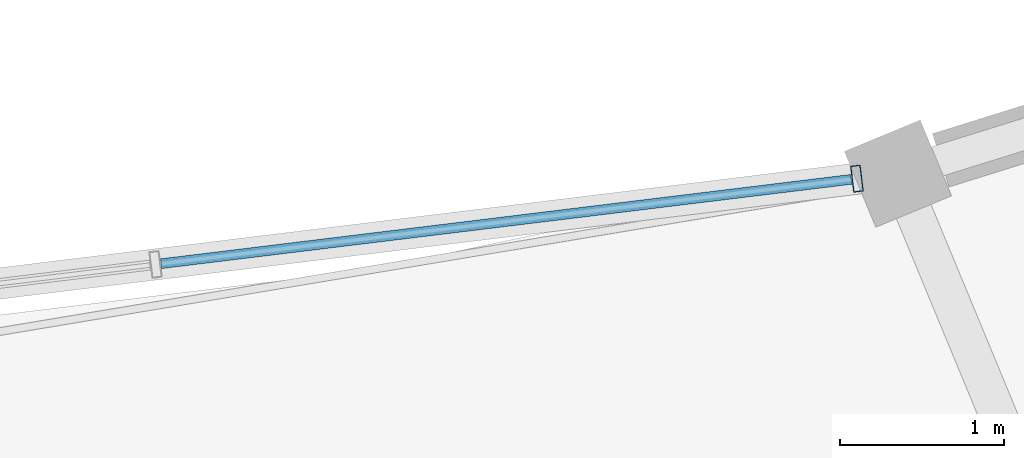
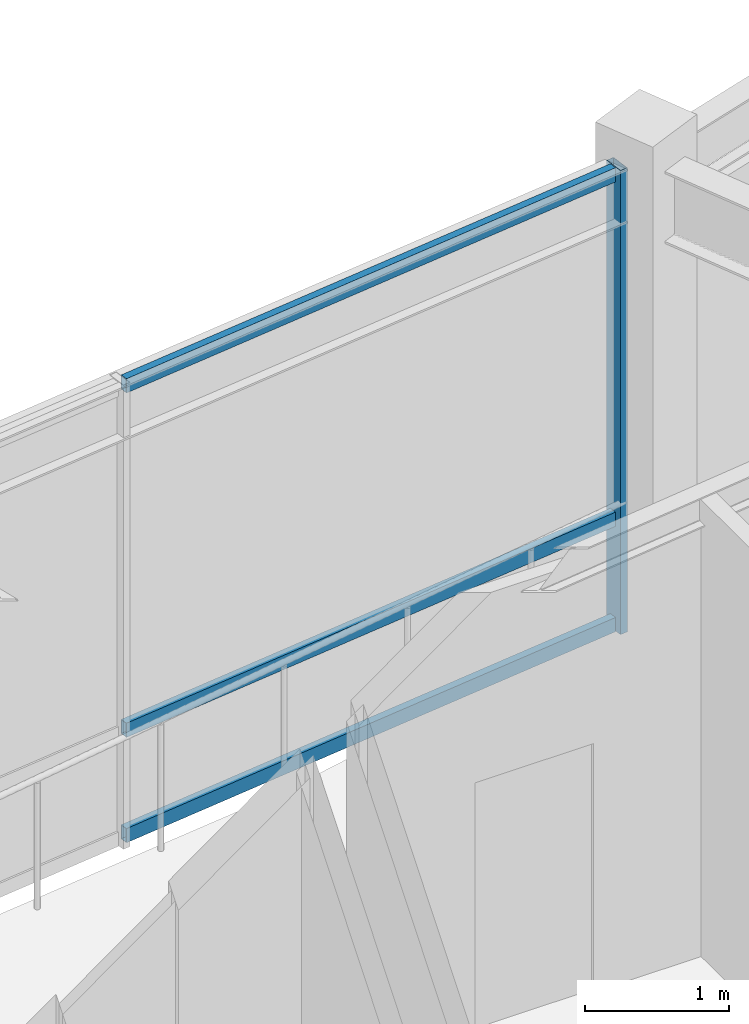
# One storey, part 45 of 78: 4 members, 1 element without a shape of its own.
"""IFC4 building model written with IfcOpenShell, lengths in metres."""

from ifc_helpers import new_model, si_unit, direction, frame, origin, origin_2d, place, context, subcontext, project, spatial, hollow_rectangle, extrude, material, material_profile, profile_set, type_object, element, aggregate, save


model = new_model("IFC4")

# Units and contexts
model_context = context("Model", 3, precision=1e-05, world=origin(), true_north=direction((0.0, 1.0)))
body_context = subcontext(model_context, "Body", "Model", "MODEL_VIEW")
ifc_project = project(units=[si_unit("LENGTHUNIT", "METRE"), si_unit("AREAUNIT", "SQUARE_METRE"), si_unit("VOLUMEUNIT", "CUBIC_METRE"), si_unit("PLANEANGLEUNIT", "RADIAN"), si_unit("MASSUNIT", "GRAM", prefix="KILO"), si_unit("THERMODYNAMICTEMPERATUREUNIT", "KELVIN"), si_unit("POWERUNIT", "WATT")], contexts=[model_context])

# Site, building, storey
site_placement = place(None, origin())
site = spatial("IfcSite", under=ifc_project, at=site_placement, CompositionType="ELEMENT")
building_placement = place(site_placement, origin())
building = spatial("IfcBuilding", under=site, at=building_placement, Name="Darbajah Civic Hall", CompositionType="ELEMENT")
storey_placement = place(building_placement, frame((0.0, 0.0, 26.39990234375)))
storey = spatial("IfcBuildingStorey", under=building, at=storey_placement, Name="L06", CompositionType="ELEMENT", Elevation=26.39990234375)

# Curtain wall, members
ifc_material_1 = material(Name="Anodised Bronze Aluminium and Low-E Glazing", Category="aluminium")
curtain_wall_type = type_object("IfcCurtainWallType", Name="Unitised Curtain Wall CW-73 12900x3900", PredefinedType="USERDEFINED", material=ifc_material_1)
curtain_wall_placement = place(storey_placement, origin())
curtain_wall = element("IfcCurtainWall", 1, at=curtain_wall_placement, inside=storey, type_object=curtain_wall_type, Name="L06 unitised curtain wall CW-V1I-L06-15", ObjectType="UNITISED CURTAIN WALL", PredefinedType="USERDEFINED")
ifc_material_2 = material(Name="Anodised Bronze Aluminium", Category="aluminium")
ifc_material_profile_1 = material_profile(ifc_material_2, hollow_rectangle(XDim=0.06005859375, YDim=0.159912109375, WallThickness=0.00341796875, at=origin_2d()), Name="ALU MULLION 60x160")
ifc_profile_set_1 = profile_set([ifc_material_profile_1], Name="Anodised Bronze Aluminium")
member_type_1 = type_object("IfcMemberType", Name="ALU MULLION 60x160", PredefinedType="MULLION", material=ifc_profile_set_1)
member_1_placement = place(storey_placement, frame((105.611328125, 69.1669921875, 0.0), z_axis=(0.0, 0.0, 1.0), x_axis=(0.992609826221, 0.121349630774, 0.0)))
member_1 = element("IfcMember", 2, at=member_1_placement, type_object=member_type_1, Name="CW-V1I-L06-15 mullion 4", PredefinedType="MULLION", context=body_context, shape_type="SweptSolid", body=[
    extrude(hollow_rectangle(XDim=0.06005859375, YDim=0.159912109375, WallThickness=0.00341796875, at=origin_2d()), origin(), (0.0, 0.0, 1.0), 3.920166015625),
])
ifc_material_profile_2 = material_profile(ifc_material_2, hollow_rectangle(XDim=0.06005859375, YDim=0.1201171875, WallThickness=0.003173828125, at=origin_2d()), Name="ALU TRANSOM 60x120")
ifc_profile_set_2 = profile_set([ifc_material_profile_2], Name="Anodised Bronze Aluminium")
member_type_2 = type_object("IfcMemberType", Name="ALU TRANSOM 60x120", PredefinedType="USERDEFINED", material=ifc_profile_set_2)
member_2_placement = place(storey_placement, frame((101.37109375, 68.648681640625, 0.06005859375), z_axis=(0.992616293306, 0.121296719924, 0.0), x_axis=(-0.121296719924, 0.992616293306, 0.0)))
member_2 = element("IfcMember", 3, at=member_2_placement, type_object=member_type_2, Name="CW-V1I-L06-15 transom 3.1", ObjectType="TRANSOM", PredefinedType="USERDEFINED", context=body_context, shape_type="SweptSolid", body=[
    extrude(hollow_rectangle(XDim=0.06005859375, YDim=0.1201171875, WallThickness=0.003173828125, at=origin_2d()), origin(), (0.0, 0.0, 1.0), 4.23681640625),
])
member_3_placement = place(storey_placement, frame((101.37109375, 68.648681640625, 0.9501953125), z_axis=(0.992616293306, 0.121296719924, 0.0), x_axis=(-0.121296719924, 0.992616293306, 0.0)))
member_3 = element("IfcMember", 4, at=member_3_placement, type_object=member_type_2, Name="CW-V1I-L06-15 transom 3.2", ObjectType="TRANSOM", PredefinedType="USERDEFINED", context=body_context, shape_type="SweptSolid", body=[
    extrude(hollow_rectangle(XDim=0.06005859375, YDim=0.1201171875, WallThickness=0.003173828125, at=origin_2d()), origin(), (0.0, 0.0, 1.0), 4.23681640625),
])
member_4_placement = place(storey_placement, frame((101.37109375, 68.648681640625, 3.860107421875), z_axis=(0.992616293306, 0.121296719924, 0.0), x_axis=(-0.121296719924, 0.992616293306, 0.0)))
member_4 = element("IfcMember", 5, at=member_4_placement, type_object=member_type_2, Name="CW-V1I-L06-15 transom 3.3", ObjectType="TRANSOM", PredefinedType="USERDEFINED", context=body_context, shape_type="SweptSolid", body=[
    extrude(hollow_rectangle(XDim=0.06005859375, YDim=0.1201171875, WallThickness=0.003173828125, at=origin_2d()), origin(), (0.0, 0.0, 1.0), 4.23681640625),
])
aggregate(curtain_wall, [member_1, member_2, member_3, member_4])

save(model, "model.ifc")
